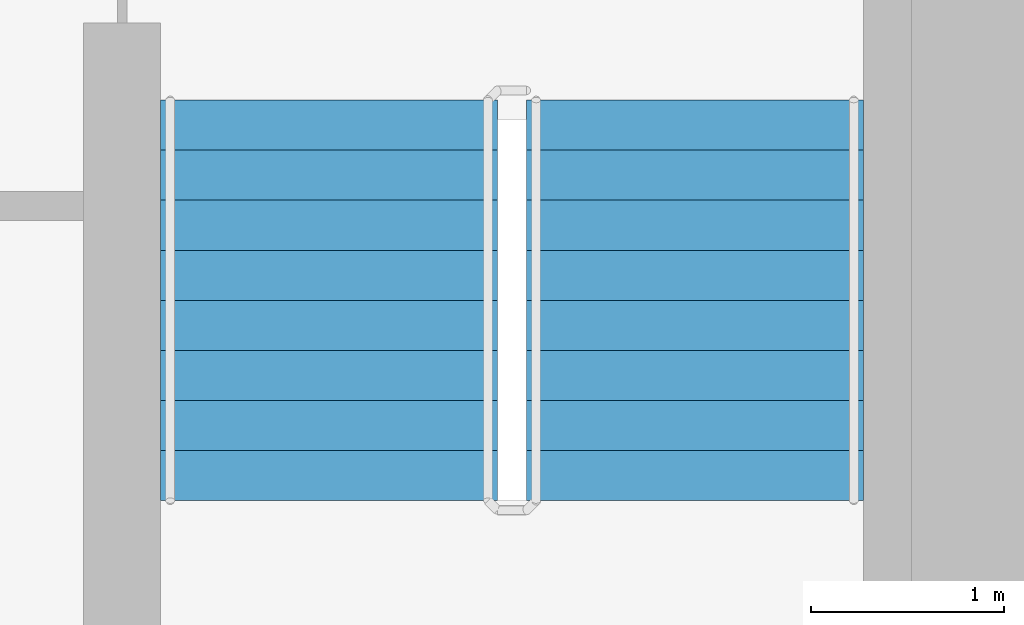
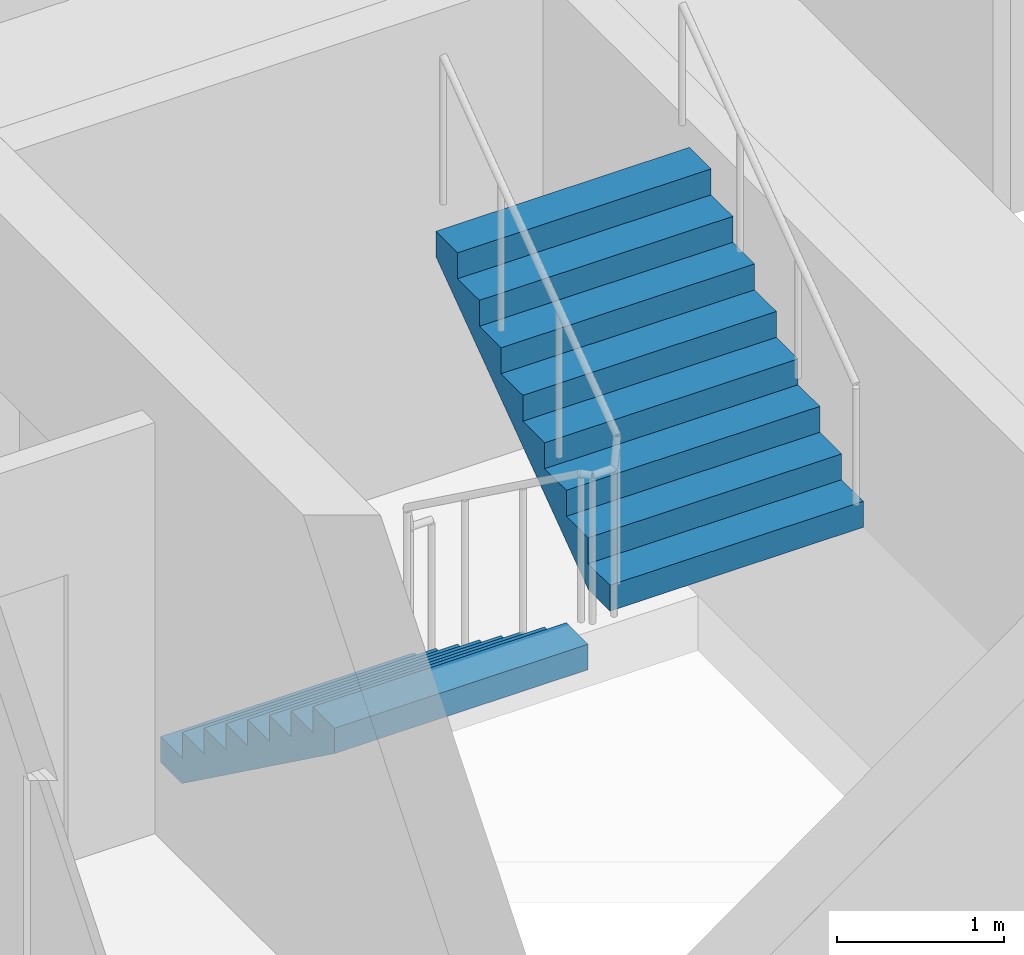
# One storey, part 17 of 21: 2 stair flights, 1 element without a shape of its own.
"""IFC4 building model written with IfcOpenShell, lengths in metres."""

from ifc_helpers import new_model, si_unit, direction, frame, origin, place, context, subcontext, project, spatial, faceted_brep, material, type_object, element, aggregate, save


model = new_model("IFC4")

# Units and contexts
model_context = context("Model", 3, precision=1e-05, world=origin(), true_north=direction((0.0, 1.0)))
body_context = subcontext(model_context, "Body", "Model", "MODEL_VIEW")
ifc_project = project(units=[si_unit("LENGTHUNIT", "METRE"), si_unit("AREAUNIT", "SQUARE_METRE"), si_unit("VOLUMEUNIT", "CUBIC_METRE"), si_unit("PLANEANGLEUNIT", "RADIAN"), si_unit("MASSUNIT", "GRAM", prefix="KILO")], contexts=[model_context])

# Site, building, storey
site_placement = place(None, origin())
site = spatial("IfcSite", under=ifc_project, at=site_placement, CompositionType="ELEMENT")
building_placement = place(site_placement, origin())
building = spatial("IfcBuilding", under=site, at=building_placement, Name="Ipe Terrace Towers", CompositionType="ELEMENT")
storey_placement = place(building_placement, frame((0.0, 0.0, 80.0)))
storey = spatial("IfcBuildingStorey", under=building, at=storey_placement, Name="L21", CompositionType="ELEMENT", Elevation=80.0)

# Stair, stair flights
ifc_material_1 = material(Name="Concrete C30/37", Category="concrete")
stair_type = type_object("IfcStairType", Name="Protected exit stair", PredefinedType="HALF_TURN_STAIR", material=ifc_material_1)
stair_placement = place(storey_placement, origin())
stair = element("IfcStair", 1, at=stair_placement, inside=storey, type_object=stair_type, Name="L21 Exit stair T2-C2", PredefinedType="HALF_TURN_STAIR")
ifc_material_2 = material(Name="Concrete C30/37", Category="concrete")
stair_flight_type = type_object("IfcStairFlightType", Name="Exit stair flight 1750", PredefinedType="STRAIGHT", material=ifc_material_2)
stair_flight_1_placement = place(storey_placement, frame((38.77490234375, -9.699951171875, 0.0), z_axis=(0.0, 0.0, 1.0), x_axis=(0.0, -1.0, 0.0)))
stair_flight_1 = element("IfcStairFlight", 2, at=stair_flight_1_placement, type_object=stair_flight_type, Name="T2-ST2 flight 1", NumberOfRisers=9, NumberOfTreads=8, PredefinedType="STRAIGHT", RiserHeight=0.188888889, TreadLength=0.26, context=body_context, shape_type="Brep", body=[
    faceted_brep([(0.255126953125, -0.875, 0.0), (2.080078125, -0.875, 1.325927734375), (2.080078125, -0.875, 1.51123046875), (1.820068359375, -0.875, 1.51123046875), (1.820068359375, -0.875, 1.322265625), (1.56005859375, -0.875, 1.322265625), (1.56005859375, -0.875, 1.13330078125), (1.300048828125, -0.875, 1.13330078125), (1.300048828125, -0.875, 0.9443359375), (1.0400390625, -0.875, 0.9443359375), (1.0400390625, -0.875, 0.755615234375), (0.780029296875, -0.875, 0.755615234375), (0.780029296875, -0.875, 0.566650390625), (0.52001953125, -0.875, 0.566650390625), (0.52001953125, -0.875, 0.377685546875), (0.260009765625, -0.875, 0.377685546875), (0.260009765625, -0.875, 0.18896484375), (0.0, -0.875, 0.18896484375), (0.0, -0.875, 0.0), (0.0, 0.875, 0.0), (0.0, 0.875, 0.18896484375), (0.260009765625, 0.875, 0.18896484375), (0.260009765625, 0.875, 0.377685546875), (0.52001953125, 0.875, 0.377685546875), (0.52001953125, 0.875, 0.566650390625), (0.780029296875, 0.875, 0.566650390625), (0.780029296875, 0.875, 0.755615234375), (1.0400390625, 0.875, 0.755615234375), (1.0400390625, 0.875, 0.9443359375), (1.300048828125, 0.875, 0.9443359375), (1.300048828125, 0.875, 1.13330078125), (1.56005859375, 0.875, 1.13330078125), (1.56005859375, 0.875, 1.322265625), (1.820068359375, 0.875, 1.322265625), (1.820068359375, 0.875, 1.51123046875), (2.080078125, 0.875, 1.51123046875), (2.080078125, 0.875, 1.325927734375), (0.255126953125, 0.875, 0.0), (0.0, -0.300048828125, 0.18896484375), (0.0, -0.1201171875, 0.18896484375), (0.0, -0.06005859375, 0.18896484375), (0.0, -0.030029296875, 0.18896484375), (0.0, -0.010009765625, 0.18896484375), (0.0, 0.0, 0.18896484375), (0.0, 0.010009765625, 0.18896484375), (0.0, 0.030029296875, 0.18896484375), (0.0, 0.06005859375, 0.18896484375), (0.0, 0.1201171875, 0.18896484375), (0.0, 0.300048828125, 0.18896484375), (0.0, 0.300048828125, 0.0), (0.0, 0.1201171875, 0.0), (0.0, 0.06005859375, 0.0), (0.0, 0.030029296875, 0.0), (0.0, 0.010009765625, 0.0), (0.0, 0.0, 0.0), (0.0, -0.010009765625, 0.0), (0.0, -0.030029296875, 0.0), (0.0, -0.06005859375, 0.0), (0.0, -0.1201171875, 0.0), (0.0, -0.300048828125, 0.0), (0.260009765625, -0.300048828125, 0.18896484375), (0.260009765625, -0.1201171875, 0.18896484375), (0.260009765625, -0.06005859375, 0.18896484375), (0.260009765625, -0.030029296875, 0.18896484375), (0.260009765625, -0.010009765625, 0.18896484375), (0.260009765625, 0.0, 0.18896484375), (0.260009765625, 0.010009765625, 0.18896484375), (0.260009765625, 0.030029296875, 0.18896484375), (0.260009765625, 0.06005859375, 0.18896484375), (0.260009765625, 0.1201171875, 0.18896484375), (0.260009765625, 0.300048828125, 0.18896484375), (0.260009765625, -0.300048828125, 0.377685546875), (0.260009765625, -0.1201171875, 0.377685546875), (0.260009765625, -0.06005859375, 0.377685546875), (0.260009765625, -0.030029296875, 0.377685546875), (0.260009765625, -0.010009765625, 0.377685546875), (0.260009765625, 0.0, 0.377685546875), (0.260009765625, 0.010009765625, 0.377685546875), (0.260009765625, 0.030029296875, 0.377685546875), (0.260009765625, 0.06005859375, 0.377685546875), (0.260009765625, 0.1201171875, 0.377685546875), (0.260009765625, 0.300048828125, 0.377685546875), (0.52001953125, -0.300048828125, 0.377685546875), (0.52001953125, -0.1201171875, 0.377685546875), (0.52001953125, -0.06005859375, 0.377685546875), (0.52001953125, -0.030029296875, 0.377685546875), (0.52001953125, -0.010009765625, 0.377685546875), (0.52001953125, 0.0, 0.377685546875), (0.52001953125, 0.010009765625, 0.377685546875), (0.52001953125, 0.030029296875, 0.377685546875), (0.52001953125, 0.06005859375, 0.377685546875), (0.52001953125, 0.1201171875, 0.377685546875), (0.52001953125, 0.300048828125, 0.377685546875), (0.52001953125, -0.300048828125, 0.566650390625), (0.52001953125, -0.1201171875, 0.566650390625), (0.52001953125, -0.06005859375, 0.566650390625), (0.52001953125, -0.030029296875, 0.566650390625), (0.52001953125, -0.010009765625, 0.566650390625), (0.52001953125, 0.0, 0.566650390625), (0.52001953125, 0.010009765625, 0.566650390625), (0.52001953125, 0.030029296875, 0.566650390625), (0.52001953125, 0.06005859375, 0.566650390625), (0.52001953125, 0.1201171875, 0.566650390625), (0.52001953125, 0.300048828125, 0.566650390625), (0.780029296875, -0.300048828125, 0.566650390625), (0.780029296875, -0.1201171875, 0.566650390625), (0.780029296875, -0.06005859375, 0.566650390625), (0.780029296875, -0.030029296875, 0.566650390625), (0.780029296875, -0.010009765625, 0.566650390625), (0.780029296875, 0.0, 0.566650390625), (0.780029296875, 0.010009765625, 0.566650390625), (0.780029296875, 0.030029296875, 0.566650390625), (0.780029296875, 0.06005859375, 0.566650390625), (0.780029296875, 0.1201171875, 0.566650390625), (0.780029296875, 0.300048828125, 0.566650390625), (0.780029296875, -0.300048828125, 0.755615234375), (0.780029296875, -0.1201171875, 0.755615234375), (0.780029296875, -0.06005859375, 0.755615234375), (0.780029296875, -0.030029296875, 0.755615234375), (0.780029296875, -0.010009765625, 0.755615234375), (0.780029296875, 0.0, 0.755615234375), (0.780029296875, 0.010009765625, 0.755615234375), (0.780029296875, 0.030029296875, 0.755615234375), (0.780029296875, 0.06005859375, 0.755615234375), (0.780029296875, 0.1201171875, 0.755615234375), (0.780029296875, 0.300048828125, 0.755615234375), (1.0400390625, -0.300048828125, 0.755615234375), (1.0400390625, -0.1201171875, 0.755615234375), (1.0400390625, -0.06005859375, 0.755615234375), (1.0400390625, -0.030029296875, 0.755615234375), (1.0400390625, -0.010009765625, 0.755615234375), (1.0400390625, 0.0, 0.755615234375), (1.0400390625, 0.010009765625, 0.755615234375), (1.0400390625, 0.030029296875, 0.755615234375), (1.0400390625, 0.06005859375, 0.755615234375), (1.0400390625, 0.1201171875, 0.755615234375), (1.0400390625, 0.300048828125, 0.755615234375), (1.0400390625, -0.300048828125, 0.9443359375), (1.0400390625, -0.1201171875, 0.9443359375), (1.0400390625, -0.06005859375, 0.9443359375), (1.0400390625, -0.030029296875, 0.9443359375), (1.0400390625, -0.010009765625, 0.9443359375), (1.0400390625, 0.0, 0.9443359375), (1.0400390625, 0.010009765625, 0.9443359375), (1.0400390625, 0.030029296875, 0.9443359375), (1.0400390625, 0.06005859375, 0.9443359375), (1.0400390625, 0.1201171875, 0.9443359375), (1.0400390625, 0.300048828125, 0.9443359375), (1.300048828125, -0.300048828125, 0.9443359375), (1.300048828125, -0.1201171875, 0.9443359375), (1.300048828125, -0.06005859375, 0.9443359375), (1.300048828125, -0.030029296875, 0.9443359375), (1.300048828125, -0.010009765625, 0.9443359375), (1.300048828125, 0.0, 0.9443359375), (1.300048828125, 0.010009765625, 0.9443359375), (1.300048828125, 0.030029296875, 0.9443359375), (1.300048828125, 0.06005859375, 0.9443359375), (1.300048828125, 0.1201171875, 0.9443359375), (1.300048828125, 0.300048828125, 0.9443359375), (1.300048828125, -0.300048828125, 1.13330078125), (1.300048828125, -0.1201171875, 1.13330078125), (1.300048828125, -0.06005859375, 1.13330078125), (1.300048828125, -0.030029296875, 1.13330078125), (1.300048828125, -0.010009765625, 1.13330078125), (1.300048828125, 0.0, 1.13330078125), (1.300048828125, 0.010009765625, 1.13330078125), (1.300048828125, 0.030029296875, 1.13330078125), (1.300048828125, 0.06005859375, 1.13330078125), (1.300048828125, 0.1201171875, 1.13330078125), (1.300048828125, 0.300048828125, 1.13330078125), (1.56005859375, -0.300048828125, 1.13330078125), (1.56005859375, -0.1201171875, 1.13330078125), (1.56005859375, -0.06005859375, 1.13330078125), (1.56005859375, -0.030029296875, 1.13330078125), (1.56005859375, -0.010009765625, 1.13330078125), (1.56005859375, 0.0, 1.13330078125), (1.56005859375, 0.010009765625, 1.13330078125), (1.56005859375, 0.030029296875, 1.13330078125), (1.56005859375, 0.06005859375, 1.13330078125), (1.56005859375, 0.1201171875, 1.13330078125), (1.56005859375, 0.300048828125, 1.13330078125), (1.56005859375, -0.300048828125, 1.322265625), (1.56005859375, -0.1201171875, 1.322265625), (1.56005859375, -0.06005859375, 1.322265625), (1.56005859375, -0.030029296875, 1.322265625), (1.56005859375, -0.010009765625, 1.322265625), (1.56005859375, 0.0, 1.322265625), (1.56005859375, 0.010009765625, 1.322265625), (1.56005859375, 0.030029296875, 1.322265625), (1.56005859375, 0.06005859375, 1.322265625), (1.56005859375, 0.1201171875, 1.322265625), (1.56005859375, 0.300048828125, 1.322265625), (1.820068359375, -0.300048828125, 1.322265625), (1.820068359375, -0.1201171875, 1.322265625), (1.820068359375, -0.06005859375, 1.322265625), (1.820068359375, -0.030029296875, 1.322265625), (1.820068359375, -0.010009765625, 1.322265625), (1.820068359375, 0.0, 1.322265625), (1.820068359375, 0.010009765625, 1.322265625), (1.820068359375, 0.030029296875, 1.322265625), (1.820068359375, 0.06005859375, 1.322265625), (1.820068359375, 0.1201171875, 1.322265625), (1.820068359375, 0.300048828125, 1.322265625), (1.820068359375, -0.300048828125, 1.51123046875), (1.820068359375, -0.1201171875, 1.51123046875), (1.820068359375, -0.06005859375, 1.51123046875), (1.820068359375, -0.030029296875, 1.51123046875), (1.820068359375, -0.010009765625, 1.51123046875), (1.820068359375, 0.0, 1.51123046875), (1.820068359375, 0.010009765625, 1.51123046875), (1.820068359375, 0.030029296875, 1.51123046875), (1.820068359375, 0.06005859375, 1.51123046875), (1.820068359375, 0.1201171875, 1.51123046875), (1.820068359375, 0.300048828125, 1.51123046875), (2.080078125, -0.300048828125, 1.51123046875), (2.080078125, -0.1201171875, 1.51123046875), (2.080078125, -0.06005859375, 1.51123046875), (2.080078125, -0.030029296875, 1.51123046875), (2.080078125, -0.010009765625, 1.51123046875), (2.080078125, 0.0, 1.51123046875), (2.080078125, 0.010009765625, 1.51123046875), (2.080078125, 0.030029296875, 1.51123046875), (2.080078125, 0.06005859375, 1.51123046875), (2.080078125, 0.1201171875, 1.51123046875), (2.080078125, 0.300048828125, 1.51123046875), (2.080078125, -0.300048828125, 1.325927734375), (2.080078125, -0.1201171875, 1.325927734375), (2.080078125, -0.06005859375, 1.325927734375), (2.080078125, -0.030029296875, 1.325927734375), (2.080078125, -0.010009765625, 1.325927734375), (2.080078125, 0.0, 1.325927734375), (2.080078125, 0.010009765625, 1.325927734375), (2.080078125, 0.030029296875, 1.325927734375), (2.080078125, 0.06005859375, 1.325927734375), (2.080078125, 0.1201171875, 1.325927734375), (2.080078125, 0.300048828125, 1.325927734375), (0.255126953125, -0.300048828125, 0.0), (0.255126953125, -0.1201171875, 0.0), (0.255126953125, -0.06005859375, 0.0), (0.255126953125, -0.030029296875, 0.0), (0.255126953125, -0.010009765625, 0.0), (0.255126953125, 0.0, 0.0), (0.255126953125, 0.010009765625, 0.0), (0.255126953125, 0.030029296875, 0.0), (0.255126953125, 0.06005859375, 0.0), (0.255126953125, 0.1201171875, 0.0), (0.255126953125, 0.300048828125, 0.0)], [[[0, 1, 2, 3, 4, 5, 6, 7, 8, 9, 10, 11, 12, 13, 14, 15, 16, 17, 18]], [[19, 20, 21, 22, 23, 24, 25, 26, 27, 28, 29, 30, 31, 32, 33, 34, 35, 36, 37]], [[17, 38, 39, 40, 41, 42, 43, 44, 45, 46, 47, 48, 20, 19, 49, 50, 51, 52, 53, 54, 55, 56, 57, 58, 59, 18]], [[16, 60, 61, 62, 63, 64, 65, 66, 67, 68, 69, 70, 21, 20, 48, 47, 46, 45, 44, 43, 42, 41, 40, 39, 38, 17]], [[15, 71, 72, 73, 74, 75, 76, 77, 78, 79, 80, 81, 22, 21, 70, 69, 68, 67, 66, 65, 64, 63, 62, 61, 60, 16]], [[14, 82, 83, 84, 85, 86, 87, 88, 89, 90, 91, 92, 23, 22, 81, 80, 79, 78, 77, 76, 75, 74, 73, 72, 71, 15]], [[13, 93, 94, 95, 96, 97, 98, 99, 100, 101, 102, 103, 24, 23, 92, 91, 90, 89, 88, 87, 86, 85, 84, 83, 82, 14]], [[12, 104, 105, 106, 107, 108, 109, 110, 111, 112, 113, 114, 25, 24, 103, 102, 101, 100, 99, 98, 97, 96, 95, 94, 93, 13]], [[11, 115, 116, 117, 118, 119, 120, 121, 122, 123, 124, 125, 26, 25, 114, 113, 112, 111, 110, 109, 108, 107, 106, 105, 104, 12]], [[10, 126, 127, 128, 129, 130, 131, 132, 133, 134, 135, 136, 27, 26, 125, 124, 123, 122, 121, 120, 119, 118, 117, 116, 115, 11]], [[9, 137, 138, 139, 140, 141, 142, 143, 144, 145, 146, 147, 28, 27, 136, 135, 134, 133, 132, 131, 130, 129, 128, 127, 126, 10]], [[8, 148, 149, 150, 151, 152, 153, 154, 155, 156, 157, 158, 29, 28, 147, 146, 145, 144, 143, 142, 141, 140, 139, 138, 137, 9]], [[7, 159, 160, 161, 162, 163, 164, 165, 166, 167, 168, 169, 30, 29, 158, 157, 156, 155, 154, 153, 152, 151, 150, 149, 148, 8]], [[6, 170, 171, 172, 173, 174, 175, 176, 177, 178, 179, 180, 31, 30, 169, 168, 167, 166, 165, 164, 163, 162, 161, 160, 159, 7]], [[5, 181, 182, 183, 184, 185, 186, 187, 188, 189, 190, 191, 32, 31, 180, 179, 178, 177, 176, 175, 174, 173, 172, 171, 170, 6]], [[4, 192, 193, 194, 195, 196, 197, 198, 199, 200, 201, 202, 33, 32, 191, 190, 189, 188, 187, 186, 185, 184, 183, 182, 181, 5]], [[3, 203, 204, 205, 206, 207, 208, 209, 210, 211, 212, 213, 34, 33, 202, 201, 200, 199, 198, 197, 196, 195, 194, 193, 192, 4]], [[2, 214, 215, 216, 217, 218, 219, 220, 221, 222, 223, 224, 35, 34, 213, 212, 211, 210, 209, 208, 207, 206, 205, 204, 203, 3]], [[1, 225, 226, 227, 228, 229, 230, 231, 232, 233, 234, 235, 36, 35, 224, 223, 222, 221, 220, 219, 218, 217, 216, 215, 214, 2]], [[0, 236, 237, 238, 239, 240, 241, 242, 243, 244, 245, 246, 37, 36, 235, 234, 233, 232, 231, 230, 229, 228, 227, 226, 225, 1]], [[18, 59, 58, 57, 56, 55, 54, 53, 52, 51, 50, 49, 19, 37, 246, 245, 244, 243, 242, 241, 240, 239, 238, 237, 236, 0]]]),
])
stair_flight_2_placement = place(storey_placement, frame((40.675048828125, -11.780029296875, 1.699951171875), z_axis=(0.0, 0.0, 1.0), x_axis=(0.0, 1.0, 0.0)))
stair_flight_2 = element("IfcStairFlight", 3, at=stair_flight_2_placement, type_object=stair_flight_type, Name="T2-ST2 flight 2", NumberOfRisers=9, NumberOfTreads=8, PredefinedType="STRAIGHT", RiserHeight=0.188888889, TreadLength=0.26, context=body_context, shape_type="Brep", body=[
    faceted_brep([(0.255126953125, -0.875, 0.0), (2.080078125, -0.875, 1.325927734375), (2.080078125, -0.875, 1.51123046875), (1.820068359375, -0.875, 1.51123046875), (1.820068359375, -0.875, 1.322265625), (1.56005859375, -0.875, 1.322265625), (1.56005859375, -0.875, 1.13330078125), (1.300048828125, -0.875, 1.13330078125), (1.300048828125, -0.875, 0.9443359375), (1.0400390625, -0.875, 0.9443359375), (1.0400390625, -0.875, 0.755615234375), (0.780029296875, -0.875, 0.755615234375), (0.780029296875, -0.875, 0.566650390625), (0.52001953125, -0.875, 0.566650390625), (0.52001953125, -0.875, 0.377685546875), (0.260009765625, -0.875, 0.377685546875), (0.260009765625, -0.875, 0.18896484375), (0.0, -0.875, 0.18896484375), (0.0, -0.875, 0.0), (0.0, 0.875, 0.0), (0.0, 0.875, 0.18896484375), (0.260009765625, 0.875, 0.18896484375), (0.260009765625, 0.875, 0.377685546875), (0.52001953125, 0.875, 0.377685546875), (0.52001953125, 0.875, 0.566650390625), (0.780029296875, 0.875, 0.566650390625), (0.780029296875, 0.875, 0.755615234375), (1.0400390625, 0.875, 0.755615234375), (1.0400390625, 0.875, 0.9443359375), (1.300048828125, 0.875, 0.9443359375), (1.300048828125, 0.875, 1.13330078125), (1.56005859375, 0.875, 1.13330078125), (1.56005859375, 0.875, 1.322265625), (1.820068359375, 0.875, 1.322265625), (1.820068359375, 0.875, 1.51123046875), (2.080078125, 0.875, 1.51123046875), (2.080078125, 0.875, 1.325927734375), (0.255126953125, 0.875, 0.0), (0.0, -0.300048828125, 0.18896484375), (0.0, -0.1201171875, 0.18896484375), (0.0, -0.06005859375, 0.18896484375), (0.0, -0.030029296875, 0.18896484375), (0.0, -0.010009765625, 0.18896484375), (0.0, 0.0, 0.18896484375), (0.0, 0.010009765625, 0.18896484375), (0.0, 0.030029296875, 0.18896484375), (0.0, 0.06005859375, 0.18896484375), (0.0, 0.1201171875, 0.18896484375), (0.0, 0.300048828125, 0.18896484375), (0.0, 0.300048828125, 0.0), (0.0, 0.1201171875, 0.0), (0.0, 0.06005859375, 0.0), (0.0, 0.030029296875, 0.0), (0.0, 0.010009765625, 0.0), (0.0, 0.0, 0.0), (0.0, -0.010009765625, 0.0), (0.0, -0.030029296875, 0.0), (0.0, -0.06005859375, 0.0), (0.0, -0.1201171875, 0.0), (0.0, -0.300048828125, 0.0), (0.260009765625, -0.300048828125, 0.18896484375), (0.260009765625, -0.1201171875, 0.18896484375), (0.260009765625, -0.06005859375, 0.18896484375), (0.260009765625, -0.030029296875, 0.18896484375), (0.260009765625, -0.010009765625, 0.18896484375), (0.260009765625, 0.0, 0.18896484375), (0.260009765625, 0.010009765625, 0.18896484375), (0.260009765625, 0.030029296875, 0.18896484375), (0.260009765625, 0.06005859375, 0.18896484375), (0.260009765625, 0.1201171875, 0.18896484375), (0.260009765625, 0.300048828125, 0.18896484375), (0.260009765625, -0.300048828125, 0.377685546875), (0.260009765625, -0.1201171875, 0.377685546875), (0.260009765625, -0.06005859375, 0.377685546875), (0.260009765625, -0.030029296875, 0.377685546875), (0.260009765625, -0.010009765625, 0.377685546875), (0.260009765625, 0.0, 0.377685546875), (0.260009765625, 0.010009765625, 0.377685546875), (0.260009765625, 0.030029296875, 0.377685546875), (0.260009765625, 0.06005859375, 0.377685546875), (0.260009765625, 0.1201171875, 0.377685546875), (0.260009765625, 0.300048828125, 0.377685546875), (0.52001953125, -0.300048828125, 0.377685546875), (0.52001953125, -0.1201171875, 0.377685546875), (0.52001953125, -0.06005859375, 0.377685546875), (0.52001953125, -0.030029296875, 0.377685546875), (0.52001953125, -0.010009765625, 0.377685546875), (0.52001953125, 0.0, 0.377685546875), (0.52001953125, 0.010009765625, 0.377685546875), (0.52001953125, 0.030029296875, 0.377685546875), (0.52001953125, 0.06005859375, 0.377685546875), (0.52001953125, 0.1201171875, 0.377685546875), (0.52001953125, 0.300048828125, 0.377685546875), (0.52001953125, -0.300048828125, 0.566650390625), (0.52001953125, -0.1201171875, 0.566650390625), (0.52001953125, -0.06005859375, 0.566650390625), (0.52001953125, -0.030029296875, 0.566650390625), (0.52001953125, -0.010009765625, 0.566650390625), (0.52001953125, 0.0, 0.566650390625), (0.52001953125, 0.010009765625, 0.566650390625), (0.52001953125, 0.030029296875, 0.566650390625), (0.52001953125, 0.06005859375, 0.566650390625), (0.52001953125, 0.1201171875, 0.566650390625), (0.52001953125, 0.300048828125, 0.566650390625), (0.780029296875, -0.300048828125, 0.566650390625), (0.780029296875, -0.1201171875, 0.566650390625), (0.780029296875, -0.06005859375, 0.566650390625), (0.780029296875, -0.030029296875, 0.566650390625), (0.780029296875, -0.010009765625, 0.566650390625), (0.780029296875, 0.0, 0.566650390625), (0.780029296875, 0.010009765625, 0.566650390625), (0.780029296875, 0.030029296875, 0.566650390625), (0.780029296875, 0.06005859375, 0.566650390625), (0.780029296875, 0.1201171875, 0.566650390625), (0.780029296875, 0.300048828125, 0.566650390625), (0.780029296875, -0.300048828125, 0.755615234375), (0.780029296875, -0.1201171875, 0.755615234375), (0.780029296875, -0.06005859375, 0.755615234375), (0.780029296875, -0.030029296875, 0.755615234375), (0.780029296875, -0.010009765625, 0.755615234375), (0.780029296875, 0.0, 0.755615234375), (0.780029296875, 0.010009765625, 0.755615234375), (0.780029296875, 0.030029296875, 0.755615234375), (0.780029296875, 0.06005859375, 0.755615234375), (0.780029296875, 0.1201171875, 0.755615234375), (0.780029296875, 0.300048828125, 0.755615234375), (1.0400390625, -0.300048828125, 0.755615234375), (1.0400390625, -0.1201171875, 0.755615234375), (1.0400390625, -0.06005859375, 0.755615234375), (1.0400390625, -0.030029296875, 0.755615234375), (1.0400390625, -0.010009765625, 0.755615234375), (1.0400390625, 0.0, 0.755615234375), (1.0400390625, 0.010009765625, 0.755615234375), (1.0400390625, 0.030029296875, 0.755615234375), (1.0400390625, 0.06005859375, 0.755615234375), (1.0400390625, 0.1201171875, 0.755615234375), (1.0400390625, 0.300048828125, 0.755615234375), (1.0400390625, -0.300048828125, 0.9443359375), (1.0400390625, -0.1201171875, 0.9443359375), (1.0400390625, -0.06005859375, 0.9443359375), (1.0400390625, -0.030029296875, 0.9443359375), (1.0400390625, -0.010009765625, 0.9443359375), (1.0400390625, 0.0, 0.9443359375), (1.0400390625, 0.010009765625, 0.9443359375), (1.0400390625, 0.030029296875, 0.9443359375), (1.0400390625, 0.06005859375, 0.9443359375), (1.0400390625, 0.1201171875, 0.9443359375), (1.0400390625, 0.300048828125, 0.9443359375), (1.300048828125, -0.300048828125, 0.9443359375), (1.300048828125, -0.1201171875, 0.9443359375), (1.300048828125, -0.06005859375, 0.9443359375), (1.300048828125, -0.030029296875, 0.9443359375), (1.300048828125, -0.010009765625, 0.9443359375), (1.300048828125, 0.0, 0.9443359375), (1.300048828125, 0.010009765625, 0.9443359375), (1.300048828125, 0.030029296875, 0.9443359375), (1.300048828125, 0.06005859375, 0.9443359375), (1.300048828125, 0.1201171875, 0.9443359375), (1.300048828125, 0.300048828125, 0.9443359375), (1.300048828125, -0.300048828125, 1.13330078125), (1.300048828125, -0.1201171875, 1.13330078125), (1.300048828125, -0.06005859375, 1.13330078125), (1.300048828125, -0.030029296875, 1.13330078125), (1.300048828125, -0.010009765625, 1.13330078125), (1.300048828125, 0.0, 1.13330078125), (1.300048828125, 0.010009765625, 1.13330078125), (1.300048828125, 0.030029296875, 1.13330078125), (1.300048828125, 0.06005859375, 1.13330078125), (1.300048828125, 0.1201171875, 1.13330078125), (1.300048828125, 0.300048828125, 1.13330078125), (1.56005859375, -0.300048828125, 1.13330078125), (1.56005859375, -0.1201171875, 1.13330078125), (1.56005859375, -0.06005859375, 1.13330078125), (1.56005859375, -0.030029296875, 1.13330078125), (1.56005859375, -0.010009765625, 1.13330078125), (1.56005859375, 0.0, 1.13330078125), (1.56005859375, 0.010009765625, 1.13330078125), (1.56005859375, 0.030029296875, 1.13330078125), (1.56005859375, 0.06005859375, 1.13330078125), (1.56005859375, 0.1201171875, 1.13330078125), (1.56005859375, 0.300048828125, 1.13330078125), (1.56005859375, -0.300048828125, 1.322265625), (1.56005859375, -0.1201171875, 1.322265625), (1.56005859375, -0.06005859375, 1.322265625), (1.56005859375, -0.030029296875, 1.322265625), (1.56005859375, -0.010009765625, 1.322265625), (1.56005859375, 0.0, 1.322265625), (1.56005859375, 0.010009765625, 1.322265625), (1.56005859375, 0.030029296875, 1.322265625), (1.56005859375, 0.06005859375, 1.322265625), (1.56005859375, 0.1201171875, 1.322265625), (1.56005859375, 0.300048828125, 1.322265625), (1.820068359375, -0.300048828125, 1.322265625), (1.820068359375, -0.1201171875, 1.322265625), (1.820068359375, -0.06005859375, 1.322265625), (1.820068359375, -0.030029296875, 1.322265625), (1.820068359375, -0.010009765625, 1.322265625), (1.820068359375, 0.0, 1.322265625), (1.820068359375, 0.010009765625, 1.322265625), (1.820068359375, 0.030029296875, 1.322265625), (1.820068359375, 0.06005859375, 1.322265625), (1.820068359375, 0.1201171875, 1.322265625), (1.820068359375, 0.300048828125, 1.322265625), (1.820068359375, -0.300048828125, 1.51123046875), (1.820068359375, -0.1201171875, 1.51123046875), (1.820068359375, -0.06005859375, 1.51123046875), (1.820068359375, -0.030029296875, 1.51123046875), (1.820068359375, -0.010009765625, 1.51123046875), (1.820068359375, 0.0, 1.51123046875), (1.820068359375, 0.010009765625, 1.51123046875), (1.820068359375, 0.030029296875, 1.51123046875), (1.820068359375, 0.06005859375, 1.51123046875), (1.820068359375, 0.1201171875, 1.51123046875), (1.820068359375, 0.300048828125, 1.51123046875), (2.080078125, -0.300048828125, 1.51123046875), (2.080078125, -0.1201171875, 1.51123046875), (2.080078125, -0.06005859375, 1.51123046875), (2.080078125, -0.030029296875, 1.51123046875), (2.080078125, -0.010009765625, 1.51123046875), (2.080078125, 0.0, 1.51123046875), (2.080078125, 0.010009765625, 1.51123046875), (2.080078125, 0.030029296875, 1.51123046875), (2.080078125, 0.06005859375, 1.51123046875), (2.080078125, 0.1201171875, 1.51123046875), (2.080078125, 0.300048828125, 1.51123046875), (2.080078125, -0.300048828125, 1.325927734375), (2.080078125, -0.1201171875, 1.325927734375), (2.080078125, -0.06005859375, 1.325927734375), (2.080078125, -0.030029296875, 1.325927734375), (2.080078125, -0.010009765625, 1.325927734375), (2.080078125, 0.0, 1.325927734375), (2.080078125, 0.010009765625, 1.325927734375), (2.080078125, 0.030029296875, 1.325927734375), (2.080078125, 0.06005859375, 1.325927734375), (2.080078125, 0.1201171875, 1.325927734375), (2.080078125, 0.300048828125, 1.325927734375), (0.255126953125, -0.300048828125, 0.0), (0.255126953125, -0.1201171875, 0.0), (0.255126953125, -0.06005859375, 0.0), (0.255126953125, -0.030029296875, 0.0), (0.255126953125, -0.010009765625, 0.0), (0.255126953125, 0.0, 0.0), (0.255126953125, 0.010009765625, 0.0), (0.255126953125, 0.030029296875, 0.0), (0.255126953125, 0.06005859375, 0.0), (0.255126953125, 0.1201171875, 0.0), (0.255126953125, 0.300048828125, 0.0)], [[[0, 1, 2, 3, 4, 5, 6, 7, 8, 9, 10, 11, 12, 13, 14, 15, 16, 17, 18]], [[19, 20, 21, 22, 23, 24, 25, 26, 27, 28, 29, 30, 31, 32, 33, 34, 35, 36, 37]], [[17, 38, 39, 40, 41, 42, 43, 44, 45, 46, 47, 48, 20, 19, 49, 50, 51, 52, 53, 54, 55, 56, 57, 58, 59, 18]], [[16, 60, 61, 62, 63, 64, 65, 66, 67, 68, 69, 70, 21, 20, 48, 47, 46, 45, 44, 43, 42, 41, 40, 39, 38, 17]], [[15, 71, 72, 73, 74, 75, 76, 77, 78, 79, 80, 81, 22, 21, 70, 69, 68, 67, 66, 65, 64, 63, 62, 61, 60, 16]], [[14, 82, 83, 84, 85, 86, 87, 88, 89, 90, 91, 92, 23, 22, 81, 80, 79, 78, 77, 76, 75, 74, 73, 72, 71, 15]], [[13, 93, 94, 95, 96, 97, 98, 99, 100, 101, 102, 103, 24, 23, 92, 91, 90, 89, 88, 87, 86, 85, 84, 83, 82, 14]], [[12, 104, 105, 106, 107, 108, 109, 110, 111, 112, 113, 114, 25, 24, 103, 102, 101, 100, 99, 98, 97, 96, 95, 94, 93, 13]], [[11, 115, 116, 117, 118, 119, 120, 121, 122, 123, 124, 125, 26, 25, 114, 113, 112, 111, 110, 109, 108, 107, 106, 105, 104, 12]], [[10, 126, 127, 128, 129, 130, 131, 132, 133, 134, 135, 136, 27, 26, 125, 124, 123, 122, 121, 120, 119, 118, 117, 116, 115, 11]], [[9, 137, 138, 139, 140, 141, 142, 143, 144, 145, 146, 147, 28, 27, 136, 135, 134, 133, 132, 131, 130, 129, 128, 127, 126, 10]], [[8, 148, 149, 150, 151, 152, 153, 154, 155, 156, 157, 158, 29, 28, 147, 146, 145, 144, 143, 142, 141, 140, 139, 138, 137, 9]], [[7, 159, 160, 161, 162, 163, 164, 165, 166, 167, 168, 169, 30, 29, 158, 157, 156, 155, 154, 153, 152, 151, 150, 149, 148, 8]], [[6, 170, 171, 172, 173, 174, 175, 176, 177, 178, 179, 180, 31, 30, 169, 168, 167, 166, 165, 164, 163, 162, 161, 160, 159, 7]], [[5, 181, 182, 183, 184, 185, 186, 187, 188, 189, 190, 191, 32, 31, 180, 179, 178, 177, 176, 175, 174, 173, 172, 171, 170, 6]], [[4, 192, 193, 194, 195, 196, 197, 198, 199, 200, 201, 202, 33, 32, 191, 190, 189, 188, 187, 186, 185, 184, 183, 182, 181, 5]], [[3, 203, 204, 205, 206, 207, 208, 209, 210, 211, 212, 213, 34, 33, 202, 201, 200, 199, 198, 197, 196, 195, 194, 193, 192, 4]], [[2, 214, 215, 216, 217, 218, 219, 220, 221, 222, 223, 224, 35, 34, 213, 212, 211, 210, 209, 208, 207, 206, 205, 204, 203, 3]], [[1, 225, 226, 227, 228, 229, 230, 231, 232, 233, 234, 235, 36, 35, 224, 223, 222, 221, 220, 219, 218, 217, 216, 215, 214, 2]], [[0, 236, 237, 238, 239, 240, 241, 242, 243, 244, 245, 246, 37, 36, 235, 234, 233, 232, 231, 230, 229, 228, 227, 226, 225, 1]], [[18, 59, 58, 57, 56, 55, 54, 53, 52, 51, 50, 49, 19, 37, 246, 245, 244, 243, 242, 241, 240, 239, 238, 237, 236, 0]]]),
])
aggregate(stair, [stair_flight_1, stair_flight_2])

save(model, "model.ifc")
